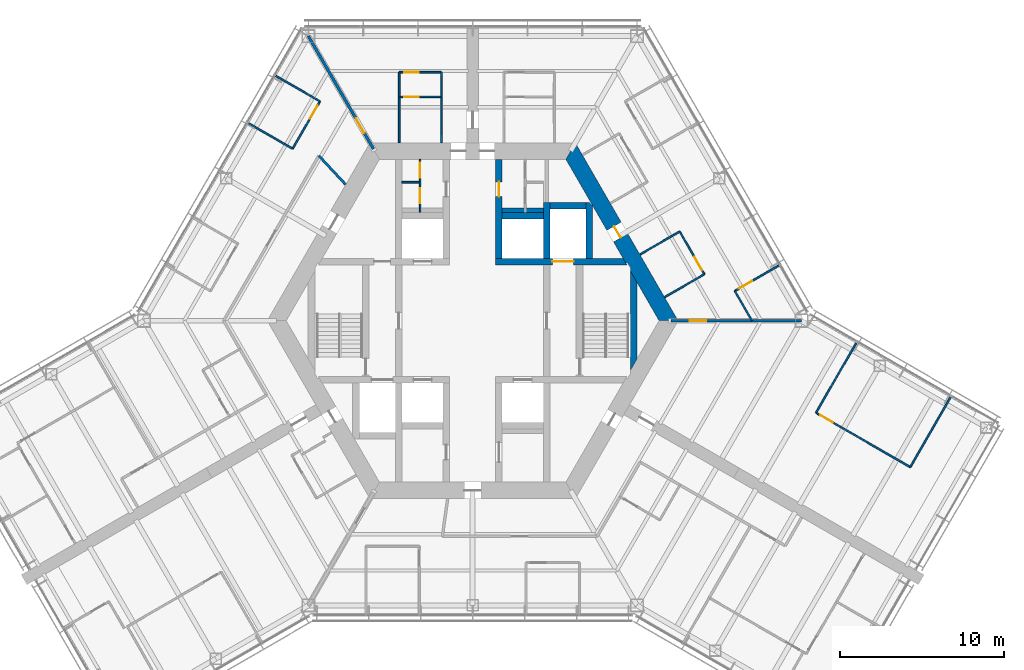
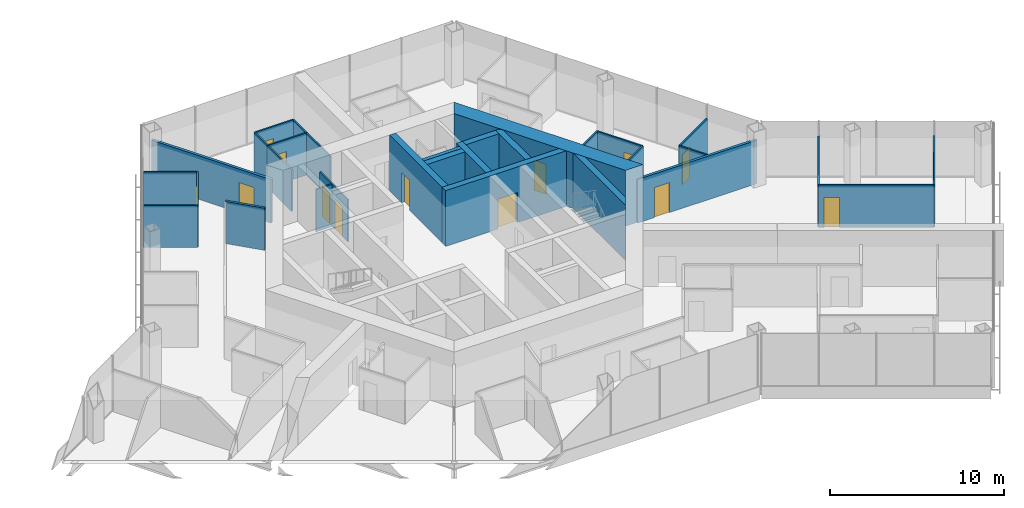
# One storey, part 15 of 19: 31 walls, 13 doors, 13 openings.
"""IFC4 building model written with IfcOpenShell, lengths in metres."""

from ifc_helpers import new_model, si_unit, direction, frame, frame_2d, origin, place, context, subcontext, project, spatial, polyline, rectangle, outline, extrude, material, layer, layer_set, type_object, element, fill, save


model = new_model("IFC4")

# Units and contexts
model_context = context("Model", 3, precision=1e-05, world=origin(), true_north=direction((0.0, 1.0)))
body_context = subcontext(model_context, "Body", "Model", "MODEL_VIEW")
ifc_project = project(units=[si_unit("LENGTHUNIT", "METRE"), si_unit("AREAUNIT", "SQUARE_METRE"), si_unit("VOLUMEUNIT", "CUBIC_METRE"), si_unit("PLANEANGLEUNIT", "RADIAN"), si_unit("MASSUNIT", "GRAM", prefix="KILO")], contexts=[model_context])

# Site, building, storey
site_placement = place(None, origin())
site = spatial("IfcSite", under=ifc_project, at=site_placement, CompositionType="ELEMENT")
building_placement = place(site_placement, origin())
building = spatial("IfcBuilding", under=site, at=building_placement, Name="Kasaneha Research Tower", CompositionType="ELEMENT")
storey_placement = place(building_placement, frame((0.0, 0.0, 156.5)))
storey = spatial("IfcBuildingStorey", under=building, at=storey_placement, Name="L39", CompositionType="ELEMENT", Elevation=156.5)

# Wall, opening, door
ifc_material_1 = material(Name="Concrete Fc70", Category="concrete")
ifc_layer_1 = layer(ifc_material_1, 0.39990234375)
ifc_layer_set_1 = layer_set([ifc_layer_1], Name="Core internal wall 400 Fc70")
wall_type_1 = type_object("IfcWallType", Name="Core internal wall 400 Fc70", PredefinedType="SHEAR", material=ifc_layer_set_1)
wall_1_placement = place(storey_placement, frame((1.39990234375, 3.60009765625, 0.0), z_axis=(0.0, 0.0, 1.0), x_axis=(1.0, 0.0, 0.0)))
wall_1 = element("IfcWall", 1, at=wall_1_placement, inside=storey, type_object=wall_type_1, Name="Core wall W1E L39", PredefinedType="SHEAR", context=body_context, shape_type="SweptSolid", body=[
    extrude(outline(polyline([(0.0, -0.199951171875), (3.449951171875, -0.199951171875), (4.75, -0.199951171875), (7.98193359375, -0.199951171875), (7.7509765625, 0.199951171875), (4.75, 0.199951171875), (3.449951171875, 0.199951171875), (0.0, 0.199951171875), (0.0, -0.199951171875)])), origin(), (0.0, 0.0, 1.0), 3.89990234375),
])
opening_1_placement = place(wall_1_placement, frame((3.449951171875, 0.0, 0.0)))
opening_1 = element("IfcOpeningElement", 2, at=opening_1_placement, cuts=wall_1, Name="Opening LD-FL1-L39", PredefinedType="OPENING", context=body_context, shape_type="SweptSolid", body=[
    extrude(rectangle(XDim=1.300048828125, YDim=2.10009765625, at=frame_2d((0.64990234375, 1.050048828125))), frame((0.0, 0.2099609375, 0.0), z_axis=(0.0, -1.0, 0.0), x_axis=(1.0, 0.0, 0.0)), (0.0, 0.0, 1.0), 0.419921875),
])
ifc_material_2 = material(Name="Steel", Category="steel")
door_type_1 = type_object("IfcDoorType", Name="Lift landing door 1300x2100", OperationType="DOUBLE_DOOR_SLIDING", PredefinedType="DOOR", material=ifc_material_2)
door_1_placement = place(opening_1_placement, origin())
door_1 = element("IfcDoor", 3, at=door_1_placement, inside=storey, type_object=door_type_1, Name="Landing door FL1 LD-FL1-L39", OperationType="DOUBLE_DOOR_SLIDING", OverallHeight=2.10009765625, OverallWidth=1.300048828125, PredefinedType="DOOR", context=body_context, shape_type="SweptSolid", body=[
    extrude(rectangle(XDim=1.300048828125, YDim=2.10009765625, at=frame_2d((0.64990234375, 1.050048828125))), frame((0.0, 0.02490234375, 0.0), z_axis=(0.0, -1.0, 0.0), x_axis=(1.0, 0.0, 0.0)), (0.0, 0.0, 1.0), 0.050048828125),
])
fill(opening_1, door_1)

wall_2_placement = place(storey_placement, frame((1.60009765625, 3.800048828125, 0.0), z_axis=(0.0, 0.0, 1.0), x_axis=(0.0, 1.0, 0.0)))
wall_2 = element("IfcWall", 4, at=wall_2_placement, inside=storey, type_object=wall_type_1, Name="Core wall CNE L39", PredefinedType="SHEAR", context=body_context, shape_type="SweptSolid", body=[
    extrude(rectangle(XDim=6.02490234375, YDim=0.39990234375, at=frame_2d((3.012451171875, 0.0))), origin(), (0.0, 0.0, 1.0), 3.89990234375),
])
opening_2_placement = place(wall_2_placement, frame((3.75, 0.0, 0.0)))
opening_2 = element("IfcOpeningElement", 5, at=opening_2_placement, cuts=wall_2, Name="Opening L39-D14", PredefinedType="OPENING", context=body_context, shape_type="SweptSolid", body=[
    extrude(rectangle(XDim=0.89990234375, YDim=2.10009765625, at=frame_2d((0.449951171875, 1.050048828125))), frame((0.0, 0.2099609375, 0.0), z_axis=(0.0, -1.0, 0.0), x_axis=(1.0, 0.0, 0.0)), (0.0, 0.0, 1.0), 0.419921875),
])
ifc_material_3 = material(Name="Steel", Category="steel")
door_type_2 = type_object("IfcDoorType", Name="Toilet door FD20 900x2100", OperationType="NOTDEFINED", PredefinedType="DOOR", material=ifc_material_3)
door_2_placement = place(opening_2_placement, origin())
door_2 = element("IfcDoor", 6, at=door_2_placement, inside=storey, type_object=door_type_2, Name="Women's WC door L39-D14", OperationType="SINGLE_SWING_LEFT", OverallHeight=2.10009765625, OverallWidth=0.89990234375, PredefinedType="DOOR", context=body_context, shape_type="SweptSolid", body=[
    extrude(rectangle(XDim=0.89990234375, YDim=2.10009765625, at=frame_2d((0.449951171875, 1.050048828125))), frame((0.0, 0.02490234375, 0.0), z_axis=(0.0, -1.0, 0.0), x_axis=(1.0, 0.0, 0.0)), (0.0, 0.0, 1.0), 0.050048828125),
])
fill(opening_2, door_2)

# Walls
wall_3_placement = place(storey_placement, frame((4.5, 3.800048828125, 0.0), z_axis=(0.0, 0.0, 1.0), x_axis=(0.0, 1.0, 0.0)))
element("IfcWall", 7, at=wall_3_placement, inside=storey, type_object=wall_type_1, Name="Core wall FNE L39", PredefinedType="SHEAR", context=body_context, shape_type="SweptSolid", body=[
    extrude(rectangle(XDim=3.39990234375, YDim=0.39990234375, at=frame_2d((1.699951171875, 0.0))), origin(), (0.0, 0.0, 1.0), 3.89990234375),
])
wall_4_placement = place(storey_placement, frame((1.800048828125, 6.39990234375, 0.0), z_axis=(0.0, 0.0, 1.0), x_axis=(1.0, 0.0, 0.0)))
element("IfcWall", 8, at=wall_4_placement, inside=storey, type_object=wall_type_1, Name="Core wall N3N L39", PredefinedType="SHEAR", context=body_context, shape_type="SweptSolid", body=[
    extrude(rectangle(XDim=2.5, YDim=0.39990234375, at=frame_2d((1.25, 0.0))), origin(), (0.0, 0.0, 1.0), 3.89990234375),
])
wall_5_placement = place(storey_placement, frame((4.699951171875, 7.0, 0.0), z_axis=(0.0, 0.0, 1.0), x_axis=(1.0, 0.0, 0.0)))
element("IfcWall", 9, at=wall_5_placement, inside=storey, type_object=wall_type_1, Name="Core wall F1N L39", PredefinedType="SHEAR", context=body_context, shape_type="SweptSolid", body=[
    extrude(rectangle(XDim=2.199951171875, YDim=0.39990234375, at=frame_2d((1.10009765625, 0.0))), origin(), (0.0, 0.0, 1.0), 3.89990234375),
])
wall_6_placement = place(storey_placement, frame((7.10009765625, 3.800048828125, 0.0), z_axis=(0.0, 0.0, 1.0), x_axis=(0.0, 1.0, 0.0)))
element("IfcWall", 10, at=wall_6_placement, inside=storey, type_object=wall_type_1, Name="Core wall F1E L39", PredefinedType="SHEAR", context=body_context, shape_type="SweptSolid", body=[
    extrude(outline(polyline([(0.0, -0.199951171875), (3.205810546875, -0.199951171875), (3.39990234375, 0.0), (3.39990234375, 0.199951171875), (0.0, 0.199951171875), (0.0, -0.199951171875)])), origin(), (0.0, 0.0, 1.0), 3.89990234375),
])
wall_7_placement = place(storey_placement, frame((9.807861328125, -2.662353515625, 0.0), z_axis=(0.0, 0.0, 1.0), x_axis=(0.0, 1.0, 0.0)))
element("IfcWall", 11, at=wall_7_placement, inside=storey, type_object=wall_type_1, Name="Core wall STE L39", PredefinedType="SHEAR", context=body_context, shape_type="SweptSolid", body=[
    extrude(outline(polyline([(0.346435546875, -0.199951171875), (4.978271484375, -0.199951171875), (5.671142578125, 0.199951171875), (-0.346435546875, 0.199951171875), (0.346435546875, -0.199951171875)])), origin(), (0.0, 0.0, 1.0), 3.89990234375),
])

# Wall, opening, door
ifc_material_4 = material(Name="Concrete Fc70", Category="concrete")
ifc_layer_2 = layer(ifc_material_4, 1.0)
ifc_layer_set_2 = layer_set([ifc_layer_2], Name="Core wall 1000 Fc70")
wall_type_2 = type_object("IfcWallType", Name="Core wall 1000 Fc70", PredefinedType="SHEAR", material=ifc_layer_set_2)
wall_8_placement = place(storey_placement, frame((11.92236328125, 0.0, 0.0), z_axis=(0.0, 0.0, 1.0), x_axis=(-0.500004296715, 0.866022923061, 0.0)))
wall_8 = element("IfcWall", 12, at=wall_8_placement, inside=storey, type_object=wall_type_2, Name="Core wall 030 L39", PredefinedType="SHEAR", context=body_context, shape_type="SweptSolid", body=[
    extrude(outline(polyline([(-0.28857421875, -0.5), (5.83544921875, -0.5), (6.635498046875, -0.5), (12.2109375, -0.5), (11.6337890625, 0.5), (6.635498046875, 0.5), (5.83544921875, 0.5), (0.28857421875, 0.5), (-0.28857421875, -0.5)])), origin(), (0.0, 0.0, 1.0), 3.89990234375),
])
opening_3_placement = place(wall_8_placement, frame((5.83544921875, 0.0, 0.0)))
opening_3 = element("IfcOpeningElement", 13, at=opening_3_placement, cuts=wall_8, Name="Opening L39-D04", PredefinedType="OPENING", context=body_context, shape_type="SweptSolid", body=[
    extrude(rectangle(XDim=0.800048828125, YDim=2.10009765625, at=frame_2d((0.39990234375, 1.050048828125))), frame((0.0, 0.510009765625, 0.0), z_axis=(0.0, -1.0, 0.0), x_axis=(1.0, 0.0, 0.0)), (0.0, 0.0, 1.0), 1.02001953125),
])
ifc_material_5 = material(Name="Steel", Category="steel")
door_type_3 = type_object("IfcDoorType", Name="Riser access door FD60 800x2100", OperationType="NOTDEFINED", PredefinedType="DOOR", material=ifc_material_5)
door_3_placement = place(opening_3_placement, origin())
door_3 = element("IfcDoor", 14, at=door_3_placement, inside=storey, type_object=door_type_3, Name="Pipe riser door L39-D04", OperationType="SINGLE_SWING_RIGHT", OverallHeight=2.10009765625, OverallWidth=0.800048828125, PredefinedType="DOOR", context=body_context, shape_type="SweptSolid", body=[
    extrude(rectangle(XDim=0.800048828125, YDim=2.10009765625, at=frame_2d((0.39990234375, 1.050048828125))), frame((0.0, 0.02490234375, 0.0), z_axis=(0.0, -1.0, 0.0), x_axis=(1.0, 0.0, 0.0)), (0.0, 0.0, 1.0), 0.050048828125),
])
fill(opening_3, door_3)

# Wall, openings, doors
ifc_material_6 = material(Name="Gypsum board on steel studs, one layer each side", Category="steel")
ifc_layer_3 = layer(ifc_material_6, 0.10009765625)
ifc_layer_set_3 = layer_set([ifc_layer_3], Name="Office partition 100")
wall_type_3 = type_object("IfcWallType", Name="Office partition 100", PredefinedType="PARTITIONING", material=ifc_layer_set_3)
wall_9_placement = place(storey_placement, frame((-3.199951171875, 6.60009765625, 0.0), z_axis=(0.0, 0.0, 1.0), x_axis=(0.0, 1.0, 0.0)))
wall_9 = element("IfcWall", 15, at=wall_9_placement, inside=storey, type_object=wall_type_3, Name="Office partition TBM1 L39", PredefinedType="PARTITIONING", context=body_context, shape_type="SweptSolid", body=[
    extrude(rectangle(XDim=3.224853515625, YDim=0.10009765625, at=frame_2d((1.6123046875, 0.0))), origin(), (0.0, 0.0, 1.0), 2.949951171875),
])
opening_4_placement = place(wall_9_placement, frame((0.5625, 0.0, 0.0)))
opening_4 = element("IfcOpeningElement", 16, at=opening_4_placement, cuts=wall_9, Name="Opening L39-D20", PredefinedType="OPENING", context=body_context, shape_type="SweptSolid", body=[
    extrude(rectangle(XDim=0.89990234375, YDim=2.10009765625, at=frame_2d((0.449951171875, 1.050048828125))), frame((0.0, 0.06005859375, 0.0), z_axis=(0.0, -1.0, 0.0), x_axis=(1.0, 0.0, 0.0)), (0.0, 0.0, 1.0), 0.1201171875),
])
opening_5_placement = place(wall_9_placement, frame((2.10009765625, 0.0, 0.0)))
opening_5 = element("IfcOpeningElement", 17, at=opening_5_placement, cuts=wall_9, Name="Opening L39-D21", PredefinedType="OPENING", context=body_context, shape_type="SweptSolid", body=[
    extrude(rectangle(XDim=0.89990234375, YDim=2.10009765625, at=frame_2d((0.449951171875, 1.050048828125))), frame((0.0, 0.06005859375, 0.0), z_axis=(0.0, -1.0, 0.0), x_axis=(1.0, 0.0, 0.0)), (0.0, 0.0, 1.0), 0.1201171875),
])
ifc_material_7 = material(Name="Steel", Category="steel")
door_type_4 = type_object("IfcDoorType", Name="Toilet lobby door FD30 900x2100", OperationType="NOTDEFINED", PredefinedType="DOOR", material=ifc_material_7)
door_4_placement = place(opening_4_placement, origin())
door_4 = element("IfcDoor", 18, at=door_4_placement, inside=storey, type_object=door_type_4, Name="Men's WC door L39-D20", OperationType="SINGLE_SWING_RIGHT", OverallHeight=2.10009765625, OverallWidth=0.89990234375, PredefinedType="DOOR", context=body_context, shape_type="SweptSolid", body=[
    extrude(rectangle(XDim=0.89990234375, YDim=2.10009765625, at=frame_2d((0.449951171875, 1.050048828125))), frame((0.0, 0.02490234375, 0.0), z_axis=(0.0, -1.0, 0.0), x_axis=(1.0, 0.0, 0.0)), (0.0, 0.0, 1.0), 0.050048828125),
])
fill(opening_4, door_4)
door_5_placement = place(opening_5_placement, origin())
door_5 = element("IfcDoor", 19, at=door_5_placement, inside=storey, type_object=door_type_4, Name="Cleaner's store door L39-D21", OperationType="SINGLE_SWING_RIGHT", OverallHeight=2.10009765625, OverallWidth=0.89990234375, PredefinedType="DOOR", context=body_context, shape_type="SweptSolid", body=[
    extrude(rectangle(XDim=0.89990234375, YDim=2.10009765625, at=frame_2d((0.449951171875, 1.050048828125))), frame((0.0, 0.02490234375, 0.0), z_axis=(0.0, -1.0, 0.0), x_axis=(1.0, 0.0, 0.0)), (0.0, 0.0, 1.0), 0.050048828125),
])
fill(opening_5, door_5)

# Walls
wall_10_placement = place(storey_placement, frame((-3.25, 8.425048828125, 0.0), z_axis=(0.0, 0.0, 1.0), x_axis=(-1.0, 0.0, 0.0)))
element("IfcWall", 20, at=wall_10_placement, inside=storey, type_object=wall_type_3, Name="Office partition TBM2 L39", PredefinedType="PARTITIONING", context=body_context, shape_type="SweptSolid", body=[
    extrude(rectangle(XDim=1.050048828125, YDim=0.10009765625, at=frame_2d((0.52490234375, 0.0))), origin(), (0.0, 0.0, 1.0), 2.949951171875),
])
wall_11_placement = place(storey_placement, frame((10.19189453125, 4.036865234375, 0.0), z_axis=(0.0, 0.0, 1.0), x_axis=(0.866018876994, 0.500011304563, 0.0)))
element("IfcWall", 21, at=wall_11_placement, inside=storey, type_object=wall_type_3, Name="Office partition FAE07 L39", PredefinedType="PARTITIONING", context=body_context, shape_type="SweptSolid", body=[
    extrude(rectangle(XDim=2.7802734375, YDim=0.10009765625, at=frame_2d((1.39013671875, 0.0))), origin(), (0.0, 0.0, 1.0), 2.949951171875),
])

# Wall, opening, door
wall_12_placement = place(storey_placement, frame((12.599609375, 5.427001953125, 0.0), z_axis=(0.0, 0.0, 1.0), x_axis=(0.499990139034, -0.866031096941, 0.0)))
wall_12 = element("IfcWall", 22, at=wall_12_placement, inside=storey, type_object=wall_type_3, Name="Office partition FAE08 L39", PredefinedType="PARTITIONING", context=body_context, shape_type="SweptSolid", body=[
    extrude(rectangle(XDim=3.0, YDim=0.10009765625, at=frame_2d((1.5, 0.0))), origin(), (0.0, 0.0, 1.0), 2.949951171875),
])
opening_6_placement = place(wall_12_placement, frame((1.800048828125, 0.0, 0.0)))
opening_6 = element("IfcOpeningElement", 23, at=opening_6_placement, cuts=wall_12, Name="Opening L39-D29", PredefinedType="OPENING", context=body_context, shape_type="SweptSolid", body=[
    extrude(rectangle(XDim=0.89990234375, YDim=2.10009765625, at=frame_2d((0.449951171875, 1.050048828125))), frame((0.0, 0.06005859375, 0.0), z_axis=(0.0, -1.0, 0.0), x_axis=(1.0, 0.0, 0.0)), (0.0, 0.0, 1.0), 0.1201171875),
])
ifc_material_8 = material(Name="Timber veneer", Category="wood")
door_type_5 = type_object("IfcDoorType", Name="Office door 900x2100", OperationType="SINGLE_SWING_LEFT", PredefinedType="DOOR", material=ifc_material_8)
door_6_placement = place(opening_6_placement, origin())
door_6 = element("IfcDoor", 24, at=door_6_placement, inside=storey, type_object=door_type_5, Name="Pantry door L39-D29", OperationType="SINGLE_SWING_RIGHT", OverallHeight=2.10009765625, OverallWidth=0.89990234375, PredefinedType="DOOR", context=body_context, shape_type="SweptSolid", body=[
    extrude(rectangle(XDim=0.89990234375, YDim=2.10009765625, at=frame_2d((0.449951171875, 1.050048828125))), frame((0.0, 0.02490234375, 0.0), z_axis=(0.0, -1.0, 0.0), x_axis=(1.0, 0.0, 0.0)), (0.0, 0.0, 1.0), 0.050048828125),
])
fill(opening_6, door_6)

# Wall
wall_13_placement = place(storey_placement, frame((14.099609375, 2.828857421875, 0.0), z_axis=(0.0, 0.0, 1.0), x_axis=(-0.866018876994, -0.500011304563, 0.0)))
element("IfcWall", 25, at=wall_13_placement, inside=storey, type_object=wall_type_3, Name="Office partition FAE09 L39", PredefinedType="PARTITIONING", context=body_context, shape_type="SweptSolid", body=[
    extrude(rectangle(XDim=2.7802734375, YDim=0.10009765625, at=frame_2d((1.39013671875, 0.0))), origin(), (0.0, 0.0, 1.0), 2.949951171875),
])

# Wall, opening, door
wall_14_placement = place(storey_placement, frame((15.952392578125, 1.810546875, 0.0), z_axis=(0.0, 0.0, 1.0), x_axis=(0.866036212918, 0.499981277565, 0.0)))
wall_14 = element("IfcWall", 26, at=wall_14_placement, inside=storey, type_object=wall_type_3, Name="Office partition FAE16 L39", PredefinedType="PARTITIONING", context=body_context, shape_type="SweptSolid", body=[
    extrude(rectangle(XDim=3.1298828125, YDim=0.10009765625, at=frame_2d((1.56494140625, 0.0))), origin(), (0.0, 0.0, 1.0), 2.949951171875),
])
opening_7_placement = place(wall_14_placement, frame((0.300048828125, 0.0, 0.0)))
opening_7 = element("IfcOpeningElement", 27, at=opening_7_placement, cuts=wall_14, Name="Opening L39-D32", PredefinedType="OPENING", context=body_context, shape_type="SweptSolid", body=[
    extrude(rectangle(XDim=0.89990234375, YDim=2.10009765625, at=frame_2d((0.449951171875, 1.050048828125))), frame((0.0, 0.06005859375, 0.0), z_axis=(0.0, -1.0, 0.0), x_axis=(1.0, 0.0, 0.0)), (0.0, 0.0, 1.0), 0.1201171875),
])
door_7_placement = place(opening_7_placement, origin())
door_7 = element("IfcDoor", 28, at=door_7_placement, inside=storey, type_object=door_type_5, Name="Workroom door L39-D32", OperationType="SINGLE_SWING_LEFT", OverallHeight=2.10009765625, OverallWidth=0.89990234375, PredefinedType="DOOR", context=body_context, shape_type="SweptSolid", body=[
    extrude(rectangle(XDim=0.89990234375, YDim=2.10009765625, at=frame_2d((0.449951171875, 1.050048828125))), frame((0.0, 0.02490234375, 0.0), z_axis=(0.0, -1.0, 0.0), x_axis=(1.0, 0.0, 0.0)), (0.0, 0.0, 1.0), 0.050048828125),
])
fill(opening_7, door_7)

# Wall
wall_15_placement = place(storey_placement, frame((16.986083984375, 0.02001953125, 0.0), z_axis=(0.0, 0.0, 1.0), x_axis=(-0.499974592989, 0.866040072032, 0.0)))
element("IfcWall", 29, at=wall_15_placement, inside=storey, type_object=wall_type_3, Name="Office partition FAE17 L39", PredefinedType="PARTITIONING", context=body_context, shape_type="SweptSolid", body=[
    extrude(rectangle(XDim=2.0673828125, YDim=0.10009765625, at=frame_2d((1.03369140625, 0.0))), origin(), (0.0, 0.0, 1.0), 2.949951171875),
])

# Wall, opening, door
wall_16_placement = place(storey_placement, frame((-4.470947265625, 13.6201171875, 0.0), z_axis=(0.0, 0.0, 1.0), x_axis=(1.0, 0.0, 0.0)))
wall_16 = element("IfcWall", 30, at=wall_16_placement, inside=storey, type_object=wall_type_3, Name="Office partition FAW01 L39", PredefinedType="PARTITIONING", context=body_context, shape_type="SweptSolid", body=[
    extrude(rectangle(XDim=2.571044921875, YDim=0.10009765625, at=frame_2d((1.28564453125, 0.0))), origin(), (0.0, 0.0, 1.0), 2.949951171875),
])
opening_8_placement = place(wall_16_placement, frame((0.300048828125, 0.0, 0.0)))
opening_8 = element("IfcOpeningElement", 31, at=opening_8_placement, cuts=wall_16, Name="Opening L39-D33", PredefinedType="OPENING", context=body_context, shape_type="SweptSolid", body=[
    extrude(rectangle(XDim=0.89990234375, YDim=2.10009765625, at=frame_2d((0.449951171875, 1.050048828125))), frame((0.0, 0.06005859375, 0.0), z_axis=(0.0, -1.0, 0.0), x_axis=(1.0, 0.0, 0.0)), (0.0, 0.0, 1.0), 0.1201171875),
])
door_8_placement = place(opening_8_placement, origin())
door_8 = element("IfcDoor", 32, at=door_8_placement, inside=storey, type_object=door_type_4, Name="Men's WC door L39-D33", OperationType="SINGLE_SWING_LEFT", OverallHeight=2.10009765625, OverallWidth=0.89990234375, PredefinedType="DOOR", context=body_context, shape_type="SweptSolid", body=[
    extrude(rectangle(XDim=0.89990234375, YDim=2.10009765625, at=frame_2d((0.449951171875, 1.050048828125))), frame((0.0, 0.02490234375, 0.0), z_axis=(0.0, -1.0, 0.0), x_axis=(1.0, 0.0, 0.0)), (0.0, 0.0, 1.0), 0.050048828125),
])
fill(opening_8, door_8)

# Walls
for number, where, z_axis, x_axis, name in (
    (33, (-4.470947265625, 10.844970703125, 0.0), (0.0, 0.0, 1.0), (0.001668567099, 0.999998607941, 0.0), "Office partition FAW02 L39"),
    (34, (-1.90478515625, 13.625, 0.0), (0.0, 0.0, 1.0), (0.001756386155, -0.999998457553, 0.0), "Office partition FAW03 L39"),
):
    element("IfcWall", number, at=place(storey_placement, frame(where, z_axis=z_axis, x_axis=x_axis)), inside=storey, type_object=wall_type_3, Name=name, PredefinedType="PARTITIONING", context=body_context, shape_type="SweptSolid", body=[
        extrude(rectangle(XDim=2.780029296875, YDim=0.10009765625, at=frame_2d((1.39013671875, 0.0))), origin(), (0.0, 0.0, 1.0), 2.949951171875),
    ])

# Wall, opening, door
wall_17_placement = place(storey_placement, frame((-4.470947265625, 15.125, 0.0), z_axis=(0.0, 0.0, 1.0), x_axis=(1.0, 0.0, 0.0)))
wall_17 = element("IfcWall", 35, at=wall_17_placement, inside=storey, type_object=wall_type_3, Name="Office partition FAW04 L39", PredefinedType="PARTITIONING", context=body_context, shape_type="SweptSolid", body=[
    extrude(rectangle(XDim=2.571044921875, YDim=0.10009765625, at=frame_2d((1.28564453125, 0.0))), origin(), (0.0, 0.0, 1.0), 2.949951171875),
])
opening_9_placement = place(wall_17_placement, frame((0.300048828125, 0.0, 0.0)))
opening_9 = element("IfcOpeningElement", 36, at=opening_9_placement, cuts=wall_17, Name="Opening L39-D34", PredefinedType="OPENING", context=body_context, shape_type="SweptSolid", body=[
    extrude(rectangle(XDim=0.89990234375, YDim=2.10009765625, at=frame_2d((0.449951171875, 1.050048828125))), frame((0.0, 0.06005859375, 0.0), z_axis=(0.0, -1.0, 0.0), x_axis=(1.0, 0.0, 0.0)), (0.0, 0.0, 1.0), 0.1201171875),
])
door_9_placement = place(opening_9_placement, origin())
door_9 = element("IfcDoor", 37, at=door_9_placement, inside=storey, type_object=door_type_4, Name="Toilet lobby door L39-D34", OperationType="SINGLE_SWING_LEFT", OverallHeight=2.10009765625, OverallWidth=0.89990234375, PredefinedType="DOOR", context=body_context, shape_type="SweptSolid", body=[
    extrude(rectangle(XDim=0.89990234375, YDim=2.10009765625, at=frame_2d((0.449951171875, 1.050048828125))), frame((0.0, 0.02490234375, 0.0), z_axis=(0.0, -1.0, 0.0), x_axis=(1.0, 0.0, 0.0)), (0.0, 0.0, 1.0), 0.050048828125),
])
fill(opening_9, door_9)

# Walls
for number, where, z_axis, x_axis, name in (
    (38, (-4.46630859375, 13.625, 0.0), (0.0, 0.0, 1.0), (-0.00309243313, 0.999995218417, 0.0), "Office partition FAW05 L39"),
    (39, (-1.89990234375, 15.125, 0.0), (0.0, 0.0, 1.0), (-0.003255191087, -0.999994701851, 0.0), "Office partition FAW06 L39"),
):
    element("IfcWall", number, at=place(storey_placement, frame(where, z_axis=z_axis, x_axis=x_axis)), inside=storey, type_object=wall_type_3, Name=name, PredefinedType="PARTITIONING", context=body_context, shape_type="SweptSolid", body=[
        extrude(rectangle(XDim=1.5, YDim=0.10009765625, at=frame_2d((0.75, 0.0))), origin(), (0.0, 0.0, 1.0), 2.949951171875),
    ])
wall_18_placement = place(storey_placement, frame((-11.979736328125, 14.901611328125, 0.0), z_axis=(0.0, 0.0, 1.0), x_axis=(0.866042875753, -0.499969736442, 0.0)))
element("IfcWall", 40, at=wall_18_placement, inside=storey, type_object=wall_type_3, Name="Office partition FBN18 L39", PredefinedType="PARTITIONING", context=body_context, shape_type="SweptSolid", body=[
    extrude(rectangle(XDim=3.105224609375, YDim=0.10009765625, at=frame_2d((1.552734375, 0.0))), origin(), (0.0, 0.0, 1.0), 2.949951171875),
])
wall_19_placement = place(storey_placement, frame((-10.9560546875, 10.464599609375, 0.0), z_axis=(0.0, 0.0, 1.0), x_axis=(-0.866044340336, 0.499967199496, 0.0)))
element("IfcWall", 41, at=wall_19_placement, inside=storey, type_object=wall_type_3, Name="Office partition FBN19 L39", PredefinedType="PARTITIONING", context=body_context, shape_type="SweptSolid", body=[
    extrude(rectangle(XDim=3.079833984375, YDim=0.10009765625, at=frame_2d((1.5400390625, 0.0))), origin(), (0.0, 0.0, 1.0), 2.949951171875),
])

# Wall, opening, door
wall_20_placement = place(storey_placement, frame((-9.29052734375, 13.34912109375, 0.0), z_axis=(0.0, 0.0, 1.0), x_axis=(-0.500033344505, -0.86600615147, 0.0)))
wall_20 = element("IfcWall", 42, at=wall_20_placement, inside=storey, type_object=wall_type_3, Name="Office partition FBN20 L39", PredefinedType="PARTITIONING", context=body_context, shape_type="SweptSolid", body=[
    extrude(rectangle(XDim=3.330810546875, YDim=0.10009765625, at=frame_2d((1.66552734375, 0.0))), origin(), (0.0, 0.0, 1.0), 2.949951171875),
])
opening_10_placement = place(wall_20_placement, frame((0.300048828125, 0.0, 0.0)))
opening_10 = element("IfcOpeningElement", 43, at=opening_10_placement, cuts=wall_20, Name="Opening L39-D41", PredefinedType="OPENING", context=body_context, shape_type="SweptSolid", body=[
    extrude(rectangle(XDim=0.89990234375, YDim=2.10009765625, at=frame_2d((0.449951171875, 1.050048828125))), frame((0.0, 0.06005859375, 0.0), z_axis=(0.0, -1.0, 0.0), x_axis=(1.0, 0.0, 0.0)), (0.0, 0.0, 1.0), 0.1201171875),
])
door_10_placement = place(opening_10_placement, origin())
door_10 = element("IfcDoor", 44, at=door_10_placement, inside=storey, type_object=door_type_5, Name="Manager's office door L39-D41", OperationType="SINGLE_SWING_LEFT", OverallHeight=2.10009765625, OverallWidth=0.89990234375, PredefinedType="DOOR", context=body_context, shape_type="SweptSolid", body=[
    extrude(rectangle(XDim=0.89990234375, YDim=2.10009765625, at=frame_2d((0.449951171875, 1.050048828125))), frame((0.0, 0.02490234375, 0.0), z_axis=(0.0, -1.0, 0.0), x_axis=(1.0, 0.0, 0.0)), (0.0, 0.0, 1.0), 0.050048828125),
])
fill(opening_10, door_10)

# Wall
wall_21_placement = place(storey_placement, frame((20.89208984375, -5.595703125, 0.0), z_axis=(0.0, 0.0, 1.0), x_axis=(0.500040029196, 0.866002291684, 0.0)))
element("IfcWall", 45, at=wall_21_placement, inside=storey, type_object=wall_type_3, Name="Office partition FCE01 L39", PredefinedType="PARTITIONING", context=body_context, shape_type="SweptSolid", body=[
    extrude(rectangle(XDim=4.8798828125, YDim=0.10009765625, at=frame_2d((2.43994140625, 0.0))), origin(), (0.0, 0.0, 1.0), 2.949951171875),
])

# Wall, opening, door
wall_22_placement = place(storey_placement, frame((26.625, -8.905517578125, 0.0), z_axis=(0.0, 0.0, 1.0), x_axis=(-0.866030817826, 0.499990622488, 0.0)))
wall_22 = element("IfcWall", 46, at=wall_22_placement, inside=storey, type_object=wall_type_3, Name="Office partition FCE02 L39", PredefinedType="PARTITIONING", context=body_context, shape_type="SweptSolid", body=[
    extrude(rectangle(XDim=6.619873046875, YDim=0.10009765625, at=frame_2d((3.31005859375, 0.0))), origin(), (0.0, 0.0, 1.0), 2.949951171875),
])
opening_11_placement = place(wall_22_placement, frame((5.419677734375, 0.0, 0.0)))
opening_11 = element("IfcOpeningElement", 47, at=opening_11_placement, cuts=wall_22, Name="Opening L39-D46", PredefinedType="OPENING", context=body_context, shape_type="SweptSolid", body=[
    extrude(rectangle(XDim=0.89990234375, YDim=2.10009765625, at=frame_2d((0.449951171875, 1.050048828125))), frame((0.0, 0.06005859375, 0.0), z_axis=(0.0, -1.0, 0.0), x_axis=(1.0, 0.0, 0.0)), (0.0, 0.0, 1.0), 0.1201171875),
])
door_11_placement = place(opening_11_placement, origin())
door_11 = element("IfcDoor", 48, at=door_11_placement, inside=storey, type_object=door_type_5, Name="Meeting room door L39-D46", OperationType="SINGLE_SWING_RIGHT", OverallHeight=2.10009765625, OverallWidth=0.89990234375, PredefinedType="DOOR", context=body_context, shape_type="SweptSolid", body=[
    extrude(rectangle(XDim=0.89990234375, YDim=2.10009765625, at=frame_2d((0.449951171875, 1.050048828125))), frame((0.0, 0.02490234375, 0.0), z_axis=(0.0, -1.0, 0.0), x_axis=(1.0, 0.0, 0.0)), (0.0, 0.0, 1.0), 0.050048828125),
])
fill(opening_11, door_11)

# Walls
wall_23_placement = place(storey_placement, frame((29.077392578125, -4.65771484375, 0.0), z_axis=(0.0, 0.0, 1.0), x_axis=(-0.499988153533, -0.866032243237, 0.0)))
element("IfcWall", 49, at=wall_23_placement, inside=storey, type_object=wall_type_3, Name="Office partition FCE03 L39", PredefinedType="PARTITIONING", context=body_context, shape_type="SweptSolid", body=[
    extrude(rectangle(XDim=4.90478515625, YDim=0.10009765625, at=frame_2d((2.452392578125, 0.0))), origin(), (0.0, 0.0, 1.0), 2.949951171875),
])
ifc_material_9 = material(Name="Gypsum board on steel studs, two layers each side", Category="steel")
ifc_layer_4 = layer(ifc_material_9, 0.14990234375)
ifc_layer_set_4 = layer_set([ifc_layer_4], Name="Suite partition 150")
wall_type_4 = type_object("IfcWallType", Name="Suite partition 150", PredefinedType="PARTITIONING", material=ifc_layer_set_4)
wall_24_placement = place(storey_placement, frame((-9.360107421875, 10.03759765625, 0.0), z_axis=(0.0, 0.0, 1.0), x_axis=(0.681997114248, -0.731354863358, 0.0)))
element("IfcWall", 50, at=wall_24_placement, inside=storey, type_object=wall_type_4, Name="Suite partition FBN06 L39", PredefinedType="PARTITIONING", context=body_context, shape_type="SweptSolid", body=[
    extrude(outline(polyline([(0.0, -0.074951171875), (2.384033203125, -0.074951171875), (2.384033203125, 0.0), (2.382080078125, 0.074951171875), (0.0, 0.074951171875), (0.0, -0.074951171875)])), origin(), (0.0, 0.0, 1.0), 2.949951171875),
])

# Wall, opening, door
ifc_material_10 = material(Name="Gypsum board on steel studs, two layers each side", Category="steel")
ifc_layer_5 = layer(ifc_material_10, 0.175048828125)
ifc_layer_set_5 = layer_set([ifc_layer_5], Name="Tenancy fire partition 175")
wall_type_5 = type_object("IfcWallType", Name="Tenancy fire partition 175", PredefinedType="PARTITIONING", material=ifc_layer_set_5)
wall_25_placement = place(storey_placement, frame((12.069580078125, 0.0, 0.0), z_axis=(0.0, 0.0, 1.0), x_axis=(1.0, 0.0, 0.0)))
wall_25 = element("IfcWall", 51, at=wall_25_placement, inside=storey, type_object=wall_type_5, Name="Tenancy fire partition T000 L39", PredefinedType="PARTITIONING", context=body_context, shape_type="SweptSolid", body=[
    extrude(rectangle(XDim=7.930419921875, YDim=0.175048828125, at=frame_2d((3.96533203125, 0.0))), origin(), (0.0, 0.0, 1.0), 3.050048828125),
])
opening_12_placement = place(wall_25_placement, frame((1.1298828125, 0.0, 0.0)))
opening_12 = element("IfcOpeningElement", 52, at=opening_12_placement, cuts=wall_25, Name="Opening L39-D24", PredefinedType="OPENING", context=body_context, shape_type="SweptSolid", body=[
    extrude(rectangle(XDim=1.0, YDim=2.10009765625, at=frame_2d((0.5, 1.050048828125))), frame((0.0, 0.09765625, 0.0), z_axis=(0.0, -1.0, 0.0), x_axis=(1.0, 0.0, 0.0)), (0.0, 0.0, 1.0), 0.195068359375),
])
ifc_material_11 = material(Name="Steel", Category="steel")
door_type_6 = type_object("IfcDoorType", Name="Suite entrance door FD60 1000x2100", OperationType="NOTDEFINED", PredefinedType="DOOR", material=ifc_material_11)
door_12_placement = place(opening_12_placement, origin())
door_12 = element("IfcDoor", 53, at=door_12_placement, inside=storey, type_object=door_type_6, Name="Connecting door L39-D24", OperationType="SINGLE_SWING_LEFT", OverallHeight=2.10009765625, OverallWidth=1.0, PredefinedType="DOOR", context=body_context, shape_type="SweptSolid", body=[
    extrude(rectangle(XDim=1.0, YDim=2.10009765625, at=frame_2d((0.5, 1.050048828125))), frame((0.0, 0.02490234375, 0.0), z_axis=(0.0, -1.0, 0.0), x_axis=(1.0, 0.0, 0.0)), (0.0, 0.0, 1.0), 0.050048828125),
])
fill(opening_12, door_12)

wall_26_placement = place(storey_placement, frame((-6.034912109375, 10.45263671875, 0.0), z_axis=(0.0, 0.0, 1.0), x_axis=(-0.499989830942, 0.866031274813, 0.0)))
wall_26 = element("IfcWall", 54, at=wall_26_placement, inside=storey, type_object=wall_type_5, Name="Tenancy fire partition T120 L39", PredefinedType="PARTITIONING", context=body_context, shape_type="SweptSolid", body=[
    extrude(rectangle(XDim=7.930419921875, YDim=0.175048828125, at=frame_2d((3.96533203125, 0.0))), origin(), (0.0, 0.0, 1.0), 3.050048828125),
])
opening_13_placement = place(wall_26_placement, frame((1.1298828125, 0.0, 0.0)))
opening_13 = element("IfcOpeningElement", 55, at=opening_13_placement, cuts=wall_26, Name="Opening L39-D25", PredefinedType="OPENING", context=body_context, shape_type="SweptSolid", body=[
    extrude(rectangle(XDim=1.0, YDim=2.10009765625, at=frame_2d((0.5, 1.050048828125))), frame((0.0, 0.09765625, 0.0), z_axis=(0.0, -1.0, 0.0), x_axis=(1.0, 0.0, 0.0)), (0.0, 0.0, 1.0), 0.195068359375),
])
door_13_placement = place(opening_13_placement, origin())
door_13 = element("IfcDoor", 56, at=door_13_placement, inside=storey, type_object=door_type_6, Name="Connecting door L39-D25", OperationType="SINGLE_SWING_LEFT", OverallHeight=2.10009765625, OverallWidth=1.0, PredefinedType="DOOR", context=body_context, shape_type="SweptSolid", body=[
    extrude(rectangle(XDim=1.0, YDim=2.10009765625, at=frame_2d((0.5, 1.050048828125))), frame((0.0, 0.02490234375, 0.0), z_axis=(0.0, -1.0, 0.0), x_axis=(1.0, 0.0, 0.0)), (0.0, 0.0, 1.0), 0.050048828125),
])
fill(opening_13, door_13)

# Wall
ifc_material_12 = material(Name="Concrete block lining", Category="concrete")
ifc_layer_6 = layer(ifc_material_12, 0.25)
ifc_layer_set_6 = layer_set([ifc_layer_6], Name="WC plumbing wall 250")
wall_type_6 = type_object("IfcWallType", Name="WC plumbing wall 250", PredefinedType="PLUMBINGWALL", material=ifc_layer_set_6)
wall_27_placement = place(storey_placement, frame((1.800048828125, 6.72509765625, 0.0), z_axis=(0.0, 0.0, 1.0), x_axis=(1.0, 0.0, 0.0)))
element("IfcWall", 57, at=wall_27_placement, inside=storey, type_object=wall_type_6, Name="WC plumbing wall F L39", PredefinedType="PLUMBINGWALL", context=body_context, shape_type="SweptSolid", body=[
    extrude(rectangle(XDim=2.5, YDim=0.25, at=frame_2d((1.25, 0.0))), origin(), (0.0, 0.0, 1.0), 3.89990234375),
])

save(model, "model.ifc")
